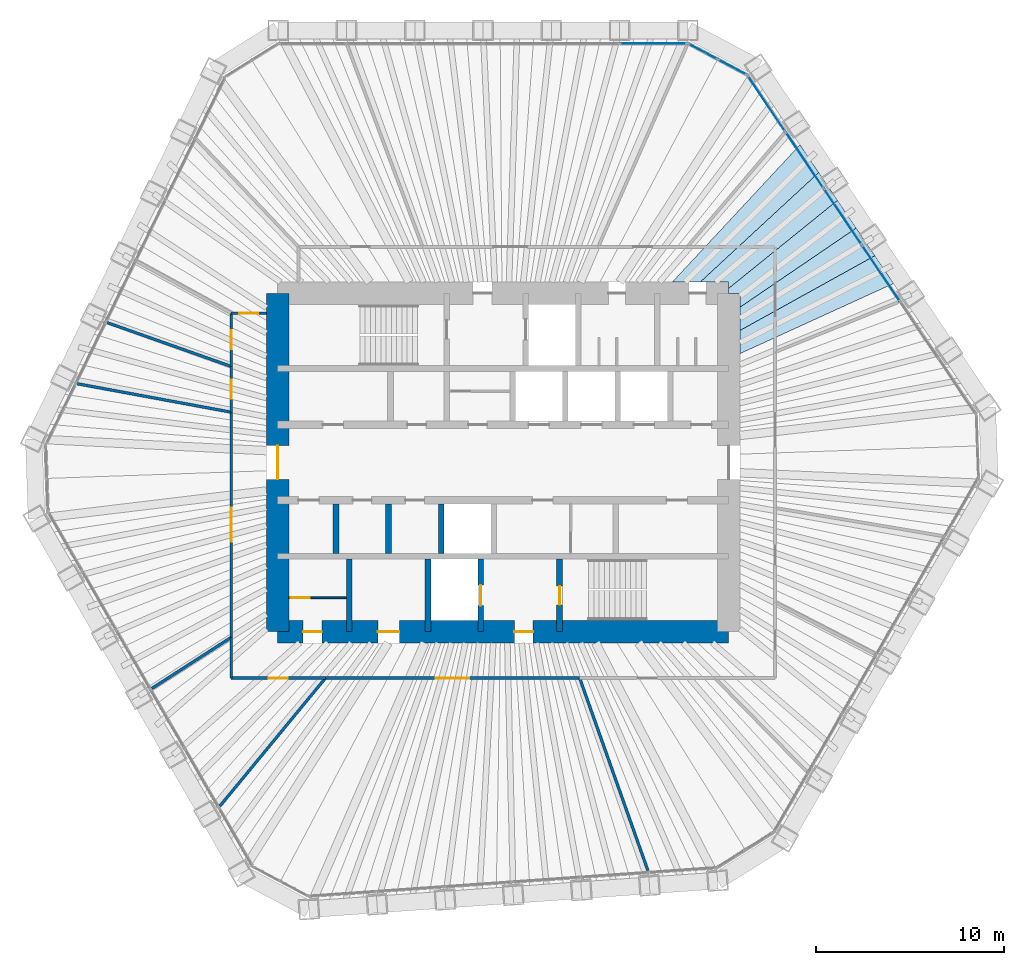
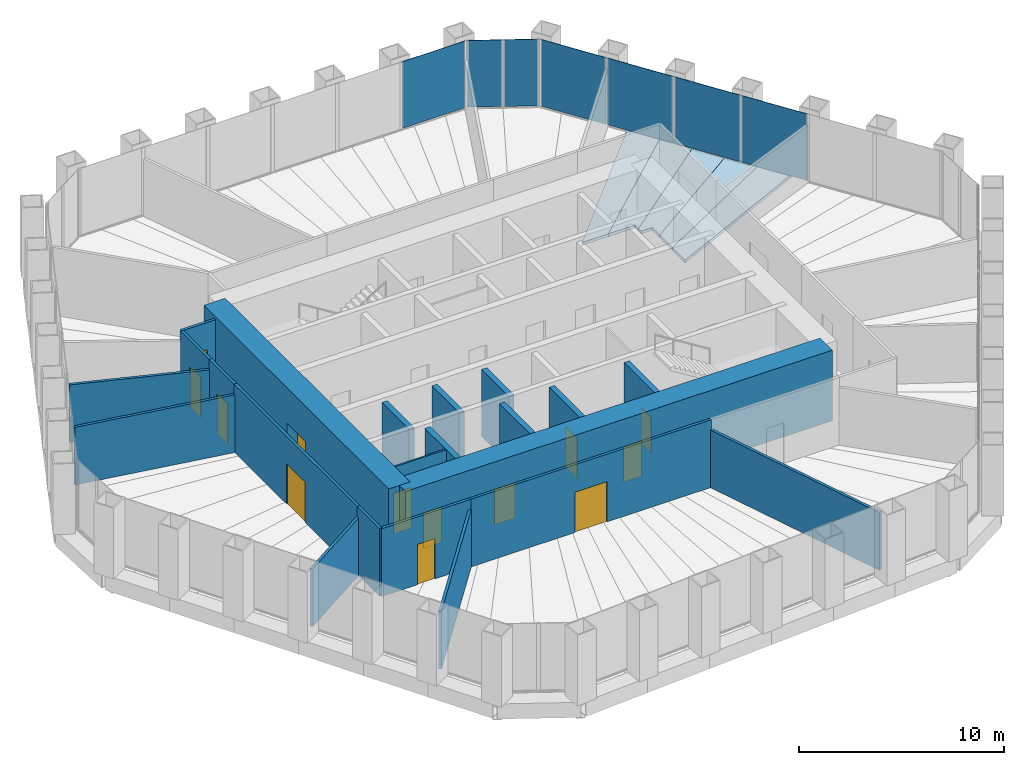
# One storey, part 10 of 13: 22 walls, 13 doors, 7 plates, 5 slabs, 13 openings, 3 elements without a shape of their own.
"""IFC4 building model written with IfcOpenShell, lengths in metres."""

import ifcopenshell
import ifcopenshell.guid

model = None  # the IFC model being written
_history = None  # IfcOwnerHistory: only IFC2X3 demands one
_inside = {}  # id of a spatial element -> (the spatial element, [elements in it])
_under = {}  # id of a project, library or spatial element -> (it, [spatial elements below it])
_declared = {}  # id of a project -> (the project, [libraries it declares])
_typed = {}  # id of a type object -> (the type object, [elements of that type])
_made_of = {}  # id of a material, layer set ... -> (it, [elements and type objects made of it])


def new_model(schema):
    """Start an empty IFC model of exactly this schema.

    Asked for "IFC4X3", IfcOpenShell would pick the latest addendum, in which some entities
    have other attributes; the version numbers below select the first issue.
    IFC2X3 requires an IfcOwnerHistory on every rooted entity: one is made here for all.
    """
    global model, _history
    if schema == "IFC4X3":
        model = ifcopenshell.file(schema_version=(4, 3, 0, 0))
    else:
        model = ifcopenshell.file(schema=schema)
    _inside.clear()
    _under.clear()
    _declared.clear()
    _typed.clear()
    _made_of.clear()
    _history = None
    if model.schema == "IFC2X3":
        org = make("IfcOrganization", Name="unknown")
        user = make(
            "IfcPersonAndOrganization",
            ThePerson=make("IfcPerson", FamilyName="unknown"),
            TheOrganization=org,
        )
        app = make(
            "IfcApplication",
            ApplicationDeveloper=org,
            Version="unknown",
            ApplicationFullName="unknown",
            ApplicationIdentifier="unknown",
        )
        _history = make(
            "IfcOwnerHistory",
            OwningUser=user,
            OwningApplication=app,
            ChangeAction="ADDED",
            CreationDate=0,
        )
    return model


def make(cls, **values):
    """One entity of the class cls with the attributes given. An attribute that is None is left unset."""
    return model.create_entity(
        cls, **{name: value for name, value in values.items() if value is not None}
    )


def rooted(cls, **values):
    """An entity with a GlobalId (a new one), such as an element, a storey or a relation."""
    return make(cls, GlobalId=ifcopenshell.guid.new(), OwnerHistory=_history, **values)


def si_unit(unit_type, name, prefix=None):
    """IfcSIUnit, for example si_unit("LENGTHUNIT", "METRE", prefix="MILLI")."""
    return make("IfcSIUnit", UnitType=unit_type, Prefix=prefix, Name=name)


def assignment(units):
    """IfcUnitAssignment: the units of a project."""
    return None if units is None else make("IfcUnitAssignment", Units=units)


def point(xyz):
    """IfcCartesianPoint."""
    return None if xyz is None else make("IfcCartesianPoint", Coordinates=xyz)


def direction(xyz):
    """IfcDirection."""
    return None if xyz is None else make("IfcDirection", DirectionRatios=xyz)


def frame(location, z_axis=None, x_axis=None):
    """IfcAxis2Placement3D, a coordinate frame: its origin and axes. An axis left out is left unset."""
    return make(
        "IfcAxis2Placement3D",
        Location=point(location),
        Axis=direction(z_axis),
        RefDirection=direction(x_axis),
    )


def frame_2d(location, x_axis=None):
    """IfcAxis2Placement2D, a coordinate frame in the plane: its origin and x axis."""
    return make(
        "IfcAxis2Placement2D", Location=point(location), RefDirection=direction(x_axis)
    )


def origin():
    """The frame at (0, 0, 0) with its axes left unset."""
    return frame((0.0, 0.0, 0.0))


def origin_2d():
    """The frame at (0, 0) in the plane with its x axis left unset."""
    return frame_2d((0.0, 0.0))


def place(relative_to, where):
    """IfcLocalPlacement: puts the frame where relative to a parent placement (None: the world)."""
    return make(
        "IfcLocalPlacement", PlacementRelTo=relative_to, RelativePlacement=where
    )


def context(
    kind, dimensions, precision=None, world=None, true_north=None, identifier=None
):
    """IfcGeometricRepresentationContext, for example the 3D "Model" context."""
    return make(
        "IfcGeometricRepresentationContext",
        ContextIdentifier=identifier,
        ContextType=kind,
        CoordinateSpaceDimension=dimensions,
        Precision=precision,
        WorldCoordinateSystem=world,
        TrueNorth=true_north,
    )


def subcontext(parent, identifier, kind, view, scale=None):
    """IfcGeometricRepresentationSubContext, for example "Body" below "Model"."""
    return make(
        "IfcGeometricRepresentationSubContext",
        ContextIdentifier=identifier,
        ContextType=kind,
        ParentContext=parent,
        TargetScale=scale,
        TargetView=view,
    )


def project(units=None, contexts=None):
    """IfcProject with its units and contexts."""
    return rooted(
        "IfcProject",
        Name="project",
        RepresentationContexts=contexts,
        UnitsInContext=assignment(units),
    )


def spatial(cls, under=None, at=None, **own):
    """A site, building, storey or space (cls), placed at a placement, below another one or the project."""
    s = rooted(cls, ObjectPlacement=at, **own)
    if under is not None:
        _under.setdefault(under.id(), (under, []))[1].append(s)
    return s


def polyline(points):
    """IfcPolyline through the points."""
    return make("IfcPolyline", Points=[point(p) for p in points])


def profile(cls, at=None, kind="AREA", **sizes):
    """A parametric profile (cls). Its sizes go by their IFC names, for example OverallWidth=200.0."""
    return make(cls, ProfileType=kind, Position=at, **sizes)


def rectangle(**sizes):
    """IfcRectangleProfileDef."""
    return profile("IfcRectangleProfileDef", **sizes)


def outline(outer, holes=None, kind="AREA"):
    """IfcArbitraryClosedProfileDef: a profile drawn as a closed curve; with holes, ...WithVoids."""
    if holes is None:
        return make("IfcArbitraryClosedProfileDef", ProfileType=kind, OuterCurve=outer)
    return make(
        "IfcArbitraryProfileDefWithVoids",
        ProfileType=kind,
        OuterCurve=outer,
        InnerCurves=holes,
    )


def extrude(swept, where, along, depth):
    """IfcExtrudedAreaSolid: the profile swept, set in the frame where, extruded along a direction by depth."""
    return make(
        "IfcExtrudedAreaSolid",
        SweptArea=swept,
        Position=where,
        ExtrudedDirection=direction(along),
        Depth=depth,
    )


def shape(context_of_items, identifier, shape_type, items):
    """IfcShapeRepresentation: the items that make up one representation, for example the "Body"."""
    return make(
        "IfcShapeRepresentation",
        ContextOfItems=context_of_items,
        RepresentationIdentifier=identifier,
        RepresentationType=shape_type,
        Items=items,
    )


def material(Name=None, Category=None):
    """IfcMaterial."""
    return make("IfcMaterial", Name=Name, Category=Category)


def layer(
    of_material, thickness, ventilated=None, Name=None, Category=None, Priority=None
):
    """IfcMaterialLayer: one layer of a wall or slab, of a material (None: an air gap)."""
    return make(
        "IfcMaterialLayer",
        Material=of_material,
        LayerThickness=thickness,
        IsVentilated=ventilated,
        Name=Name,
        Category=Category,
        Priority=Priority,
    )


def layer_set(layers, Name=None):
    """IfcMaterialLayerSet."""
    return make("IfcMaterialLayerSet", MaterialLayers=layers, LayerSetName=Name)


def made_of(thing, what):
    """Note that an element or type object is made of a material, layer set ...; save() writes the relation."""
    if what is not None:
        _made_of.setdefault(what.id(), (what, []))[1].append(thing)
    return thing


def type_object(cls, material=None, **own):
    """A type object (cls), such as IfcWallType, which elements share."""
    return made_of(rooted(cls, **own), material)


def element(
    cls,
    number,
    at=None,
    inside=None,
    cuts=None,
    type_object=None,
    material=None,
    context=None,
    identifier="Body",
    shape_type=None,
    held_by="IfcProductDefinitionShape",
    body=None,
    shapes=None,
    **own,
):
    """One element of the class cls, such as IfcWall. Its Tag is "e" and its number.

    at: its placement. inside: the storey or other place that contains it. cuts: it is an
    opening in that element (IfcRelVoidsElement). A single representation is given by context,
    identifier, shape_type and body (its items); several are given by shapes. held_by: the class
    of the entity that holds the representations. save() writes the other relations.
    """
    e = rooted(cls, Tag="e%d" % number, ObjectPlacement=at, **own)
    if body is not None:
        shapes = [shape(context, identifier, shape_type, body)]
    if shapes is not None:
        e.Representation = make(held_by, Representations=shapes)
    if inside is not None:
        _inside.setdefault(inside.id(), (inside, []))[1].append(e)
    if cuts is not None:
        rooted(
            "IfcRelVoidsElement", RelatingBuildingElement=cuts, RelatedOpeningElement=e
        )
    if type_object is not None:
        _typed.setdefault(type_object.id(), (type_object, []))[1].append(e)
    return made_of(e, material)


def fill(opening, filler):
    """IfcRelFillsElement: the door or window that sits in an opening."""
    return rooted(
        "IfcRelFillsElement",
        RelatingOpeningElement=opening,
        RelatedBuildingElement=filler,
    )


def aggregate(whole, parts):
    """IfcRelAggregates: a whole, such as a stair, and the parts it consists of."""
    return rooted("IfcRelAggregates", RelatingObject=whole, RelatedObjects=parts)


def save(model, path):
    """Write the relations noted so far, then the file.

    IfcRelAggregates (storeys below a building ...), IfcRelContainedInSpatialStructure (elements
    in a storey), IfcRelDefinesByType, IfcRelAssociatesMaterial and IfcRelDeclares: one each for
    every whole, place, type object, material and project.
    """
    for whole, parts in _under.values():
        aggregate(whole, parts)
    for where, things in _inside.values():
        rooted(
            "IfcRelContainedInSpatialStructure",
            RelatedElements=things,
            RelatingStructure=where,
        )
    for kind, things in _typed.values():
        rooted("IfcRelDefinesByType", RelatedObjects=things, RelatingType=kind)
    for what, things in _made_of.values():
        rooted("IfcRelAssociatesMaterial", RelatedObjects=things, RelatingMaterial=what)
    for by, libraries in _declared.values():
        rooted("IfcRelDeclares", RelatingContext=by, RelatedDefinitions=libraries)
    model.write(path)


model = new_model("IFC4")

# Units and contexts
model_context = context("Model", 3, precision=1e-05, world=origin(), true_north=direction((0.0, 1.0)))
body_context = subcontext(model_context, "Body", "Model", "MODEL_VIEW")
ifc_project = project(units=[si_unit("LENGTHUNIT", "METRE"), si_unit("AREAUNIT", "SQUARE_METRE"), si_unit("VOLUMEUNIT", "CUBIC_METRE"), si_unit("PLANEANGLEUNIT", "RADIAN"), si_unit("MASSUNIT", "GRAM", prefix="KILO")], contexts=[model_context])

# Site, building, storey
site_placement = place(None, origin())
site = spatial("IfcSite", under=ifc_project, at=site_placement, CompositionType="ELEMENT")
building_placement = place(site_placement, origin())
building = spatial("IfcBuilding", under=site, at=building_placement, Name="Qingtian Harvest Tower", CompositionType="ELEMENT")
storey_placement = place(building_placement, frame((0.0, 0.0, 193.0)))
storey = spatial("IfcBuildingStorey", under=building, at=storey_placement, Name="L41", CompositionType="ELEMENT", Elevation=193.0)

# Slabs
ifc_material_1 = material(Name="Concrete fc' 35 MPa", Category="concrete")
ifc_layer_1 = layer(ifc_material_1, 0.169921875)
ifc_layer_set_1 = layer_set([ifc_layer_1], Name="Composite floor slab FS17 170")
slab_type = type_object("IfcSlabType", Name="Composite floor slab FS17 170", PredefinedType="FLOOR", material=ifc_layer_set_1)
slab_1_placement = place(storey_placement, frame((0.0, 0.0, -0.169921875)))
element("IfcSlab", 1, at=slab_1_placement, inside=storey, type_object=slab_type, Name="Floor slab L41 panel D45", PredefinedType="FLOOR", context=body_context, shape_type="SweptSolid", body=[
    extrude(outline(polyline([(12.60009765625, 7.023681640625), (19.7841796875, 11.003662109375), (20.780517578125, 9.526611328125), (12.60009765625, 5.7900390625), (12.60009765625, 7.023681640625)])), origin(), (0.0, 0.0, 1.0), 0.169921875),
])
slab_2_placement = place(storey_placement, frame((0.0, 0.0, -0.169921875)))
element("IfcSlab", 2, at=slab_2_placement, inside=storey, type_object=slab_type, Name="Floor slab L41 panel D46", PredefinedType="FLOOR", context=body_context, shape_type="SweptSolid", body=[
    extrude(outline(polyline([(12.60009765625, 8.260498046875), (18.791259765625, 12.475830078125), (19.7841796875, 11.003662109375), (12.60009765625, 7.023681640625), (12.60009765625, 8.260498046875)])), origin(), (0.0, 0.0, 1.0), 0.169921875),
])
slab_3_placement = place(storey_placement, frame((0.0, 0.0, -0.169921875)))
element("IfcSlab", 3, at=slab_3_placement, inside=storey, type_object=slab_type, Name="Floor slab L41 panel D47", PredefinedType="FLOOR", context=body_context, shape_type="SweptSolid", body=[
    extrude(outline(polyline([(12.60009765625, 9.0), (12.0, 9.0), (12.0, 9.2666015625), (17.795654296875, 13.95166015625), (18.791259765625, 12.475830078125), (12.60009765625, 8.260498046875), (12.60009765625, 9.0)])), origin(), (0.0, 0.0, 1.0), 0.169921875),
])
slab_4_placement = place(storey_placement, frame((0.0, 0.0, -0.169921875)))
element("IfcSlab", 4, at=slab_4_placement, inside=storey, type_object=slab_type, Name="Floor slab L41 panel D48", PredefinedType="FLOOR", context=body_context, shape_type="SweptSolid", body=[
    extrude(outline(polyline([(12.0, 9.60009765625), (10.48583984375, 9.60009765625), (16.79638671875, 15.43310546875), (17.795654296875, 13.95166015625), (12.0, 9.2666015625), (12.0, 9.60009765625)])), origin(), (0.0, 0.0, 1.0), 0.169921875),
])
slab_5_placement = place(storey_placement, frame((0.0, 0.0, -0.169921875)))
element("IfcSlab", 5, at=slab_5_placement, inside=storey, type_object=slab_type, Name="Floor slab L41 panel D49", PredefinedType="FLOOR", context=body_context, shape_type="SweptSolid", body=[
    extrude(outline(polyline([(8.998291015625, 9.60009765625), (15.800048828125, 16.910400390625), (16.79638671875, 15.43310546875), (10.48583984375, 9.60009765625), (8.998291015625, 9.60009765625)])), origin(), (0.0, 0.0, 1.0), 0.169921875),
])

# Curtain wall, plate
ifc_material_2 = material(Name="Bronze-anodised aluminium curtain wall", Category="aluminium")
curtain_wall_type = type_object("IfcCurtainWallType", Name="Curtain wall CW4 office", PredefinedType="USERDEFINED", material=ifc_material_2)
curtain_wall_1_placement = place(storey_placement, origin())
curtain_wall_1 = element("IfcCurtainWall", 6, at=curtain_wall_1_placement, inside=storey, type_object=curtain_wall_type, Name="Curtain wall CW4 L41 N0-5", ObjectType="RECESSED CURTAIN WALL", PredefinedType="USERDEFINED")
ifc_material_3 = material(Name="Bronze-tinted laminated insulating glass", Category="glass")
ifc_layer_2 = layer(ifc_material_3, 0.030029296875)
ifc_layer_set_2 = layer_set([ifc_layer_2], Name="Glazed panel CWP tinted IGU")
plate_type = type_object("IfcPlateType", Name="Glazed panel CWP tinted IGU", PredefinedType="CURTAIN_PANEL", material=ifc_layer_set_2)
plate_1_placement = place(storey_placement, frame((7.996337890625, 22.300048828125, 0.06494140625), z_axis=(0.0, 0.0, 1.0), x_axis=(1.0, 0.0, 0.0)))
plate_1 = element("IfcPlate", 7, at=plate_1_placement, type_object=plate_type, Name="CW4 panel 6.1", PredefinedType="CURTAIN_PANEL", context=body_context, shape_type="SweptSolid", body=[
    extrude(rectangle(XDim=3.5361328125, YDim=0.030029296875, at=origin_2d()), origin(), (0.0, 0.0, 1.0), 3.965087890625),
])
aggregate(curtain_wall_1, [plate_1])

# Curtain wall, plates
curtain_wall_2_placement = place(storey_placement, origin())
curtain_wall_2 = element("IfcCurtainWall", 8, at=curtain_wall_2_placement, inside=storey, type_object=curtain_wall_type, Name="Curtain wall CW4 L41 NC", ObjectType="RECESSED CURTAIN WALL", PredefinedType="USERDEFINED")
plate_2_placement = place(storey_placement, frame((10.634033203125, 21.8720703125, 0.06494140625), z_axis=(0.0, 0.0, 1.0), x_axis=(0.882947592859, -0.469471562786, 0.0)))
plate_2 = element("IfcPlate", 9, at=plate_2_placement, type_object=plate_type, Name="CW4 panel 1.1", PredefinedType="CURTAIN_PANEL", context=body_context, shape_type="SweptSolid", body=[
    extrude(rectangle(XDim=1.69287109375, YDim=0.030029296875, at=origin_2d()), origin(), (0.0, 0.0, 1.0), 3.965087890625),
])
plate_3_placement = place(storey_placement, frame((12.186279296875, 21.046875, 0.06494140625), z_axis=(0.0, 0.0, 1.0), x_axis=(0.882947592859, -0.469471562786, 0.0)))
plate_3 = element("IfcPlate", 10, at=plate_3_placement, type_object=plate_type, Name="CW4 panel 2.1", PredefinedType="CURTAIN_PANEL", context=body_context, shape_type="SweptSolid", body=[
    extrude(rectangle(XDim=1.69287109375, YDim=0.030029296875, at=origin_2d()), origin(), (0.0, 0.0, 1.0), 3.965087890625),
])
aggregate(curtain_wall_2, [plate_2, plate_3])

curtain_wall_3_placement = place(storey_placement, origin())
curtain_wall_3 = element("IfcCurtainWall", 11, at=curtain_wall_3_placement, inside=storey, type_object=curtain_wall_type, Name="Curtain wall CW4 L41 NE0-5", ObjectType="RECESSED CURTAIN WALL", PredefinedType="USERDEFINED")
plate_4_placement = place(storey_placement, frame((14.01611328125, 19.09912109375, 0.06494140625), z_axis=(0.0, 0.0, 1.0), x_axis=(0.559192903471, -0.829037572555, 0.0)))
plate_4 = element("IfcPlate", 12, at=plate_4_placement, type_object=plate_type, Name="CW4 panel 1.1", PredefinedType="CURTAIN_PANEL", context=body_context, shape_type="SweptSolid", body=[
    extrude(rectangle(XDim=3.5361328125, YDim=0.030029296875, at=origin_2d()), origin(), (0.0, 0.0, 1.0), 3.965087890625),
])
plate_5_placement = place(storey_placement, frame((16.038818359375, 16.100341796875, 0.06494140625), z_axis=(0.0, 0.0, 1.0), x_axis=(0.559192903471, -0.829037572555, 0.0)))
plate_5 = element("IfcPlate", 13, at=plate_5_placement, type_object=plate_type, Name="CW4 panel 2.1", PredefinedType="CURTAIN_PANEL", context=body_context, shape_type="SweptSolid", body=[
    extrude(rectangle(XDim=3.568603515625, YDim=0.030029296875, at=origin_2d()), origin(), (0.0, 0.0, 1.0), 3.965087890625),
])
plate_6_placement = place(storey_placement, frame((18.07080078125, 13.087890625, 0.06494140625), z_axis=(0.0, 0.0, 1.0), x_axis=(0.559192903471, -0.829037572555, 0.0)))
plate_6 = element("IfcPlate", 14, at=plate_6_placement, type_object=plate_type, Name="CW4 panel 3.1", PredefinedType="CURTAIN_PANEL", context=body_context, shape_type="SweptSolid", body=[
    extrude(rectangle(XDim=3.568603515625, YDim=0.030029296875, at=origin_2d()), origin(), (0.0, 0.0, 1.0), 3.965087890625),
])
plate_7_placement = place(storey_placement, frame((20.1025390625, 10.07568359375, 0.06494140625), z_axis=(0.0, 0.0, 1.0), x_axis=(0.559192903471, -0.829037572555, 0.0)))
plate_7 = element("IfcPlate", 15, at=plate_7_placement, type_object=plate_type, Name="CW4 panel 4.1", PredefinedType="CURTAIN_PANEL", context=body_context, shape_type="SweptSolid", body=[
    extrude(rectangle(XDim=3.568603515625, YDim=0.030029296875, at=origin_2d()), origin(), (0.0, 0.0, 1.0), 3.965087890625),
])
aggregate(curtain_wall_3, [plate_4, plate_5, plate_6, plate_7])

# Walls
ifc_material_4 = material(Name="Precast concrete shaft panel", Category="concrete")
ifc_layer_3 = layer(ifc_material_4, 0.300048828125)
ifc_layer_set_3 = layer_set([ifc_layer_3], Name="Core shaft partition SW1 300")
wall_type_1 = type_object("IfcWallType", Name="Core shaft partition SW1 300", PredefinedType="PARTITIONING", material=ifc_layer_set_3)
for number, where, z_axis, x_axis, name in (
    (16, (-8.89990234375, -4.85009765625, 0.0), (0.0, 0.0, 1.0), (0.0, 1.0, 0.0), "Core shaft partition XB1 L41"),
    (17, (-6.10009765625, -4.85009765625, 0.0), (0.0, 0.0, 1.0), (0.0, 1.0, 0.0), "Core shaft partition XB2 L41"),
    (18, (-3.300048828125, -4.85009765625, 0.0), (0.0, 0.0, 1.0), (0.0, 1.0, 0.0), "Core shaft partition XB3 L41"),
):
    element("IfcWall", number, at=place(storey_placement, frame(where, z_axis=z_axis, x_axis=x_axis)), inside=storey, type_object=wall_type_1, Name=name, PredefinedType="PARTITIONING", context=body_context, shape_type="SweptSolid", body=[
        extrude(rectangle(XDim=2.650146484375, YDim=0.300048828125, at=frame_2d((1.3251953125, 0.0))), origin(), (0.0, 0.0, 1.0), 3.97998046875),
    ])
for number, where, z_axis, x_axis, name in (
    (19, (-8.199951171875, -9.0, 0.0), (0.0, 0.0, 1.0), (0.0, 1.0, 0.0), "Core shaft partition XS1 L41"),
    (20, (-4.0, -9.0, 0.0), (0.0, 0.0, 1.0), (0.0, 1.0, 0.0), "Core shaft partition XS2 L41"),
):
    element("IfcWall", number, at=place(storey_placement, frame(where, z_axis=z_axis, x_axis=x_axis)), inside=storey, type_object=wall_type_1, Name=name, PredefinedType="PARTITIONING", context=body_context, shape_type="SweptSolid", body=[
        extrude(rectangle(XDim=3.85009765625, YDim=0.300048828125, at=frame_2d((1.925048828125, 0.0))), origin(), (0.0, 0.0, 1.0), 3.97998046875),
    ])

# Wall, opening, door
wall_1_placement = place(storey_placement, frame((-1.199951171875, -9.0, 0.0), z_axis=(0.0, 0.0, 1.0), x_axis=(0.0, 1.0, 0.0)))
wall_1 = element("IfcWall", 21, at=wall_1_placement, inside=storey, type_object=wall_type_1, Name="Core shaft partition XS3 L41", PredefinedType="PARTITIONING", context=body_context, shape_type="SweptSolid", body=[
    extrude(rectangle(XDim=3.85009765625, YDim=0.300048828125, at=frame_2d((1.925048828125, 0.0))), origin(), (0.0, 0.0, 1.0), 3.97998046875),
])
opening_1_placement = place(wall_1_placement, frame((1.375, 0.0, 0.0)))
opening_1 = element("IfcOpeningElement", 22, at=opening_1_placement, cuts=wall_1, Name="Opening LD1", PredefinedType="OPENING", context=body_context, shape_type="SweptSolid", body=[
    extrude(rectangle(XDim=1.10009765625, YDim=2.39990234375, at=frame_2d((0.550048828125, 1.199951171875))), frame((0.0, 0.159912109375, 0.0), z_axis=(0.0, -1.0, 0.0), x_axis=(1.0, 0.0, 0.0)), (0.0, 0.0, 1.0), 0.320068359375),
])
ifc_material_5 = material(Name="Stainless steel lift landing door", Category="steel")
door_type_1 = type_object("IfcDoorType", Name="Lift landing door LD1 1 HR", OperationType="DOUBLE_DOOR_SLIDING", PredefinedType="DOOR", material=ifc_material_5)
door_1_placement = place(opening_1_placement, origin())
door_1 = element("IfcDoor", 23, at=door_1_placement, inside=storey, type_object=door_type_1, Name="FL2 landing door L41", OperationType="DOUBLE_DOOR_SLIDING", OverallHeight=2.39990234375, OverallWidth=1.10009765625, PredefinedType="DOOR", context=body_context, shape_type="SweptSolid", body=[
    extrude(rectangle(XDim=1.10009765625, YDim=2.39990234375, at=frame_2d((0.550048828125, 1.199951171875))), frame((0.0, 0.02490234375, 0.0), z_axis=(0.0, -1.0, 0.0), x_axis=(1.0, 0.0, 0.0)), (0.0, 0.0, 1.0), 0.050048828125),
])
fill(opening_1, door_1)

wall_2_placement = place(storey_placement, frame((3.0, -9.0, 0.0), z_axis=(0.0, 0.0, 1.0), x_axis=(0.0, 1.0, 0.0)))
wall_2 = element("IfcWall", 24, at=wall_2_placement, inside=storey, type_object=wall_type_1, Name="Core shaft partition XS4 L41", PredefinedType="PARTITIONING", context=body_context, shape_type="SweptSolid", body=[
    extrude(rectangle(XDim=3.85009765625, YDim=0.300048828125, at=frame_2d((1.925048828125, 0.0))), origin(), (0.0, 0.0, 1.0), 3.97998046875),
])
opening_2_placement = place(wall_2_placement, frame((1.425048828125, 0.0, 0.0)))
opening_2 = element("IfcOpeningElement", 25, at=opening_2_placement, cuts=wall_2, Name="Opening FD1", PredefinedType="OPENING", context=body_context, shape_type="SweptSolid", body=[
    extrude(rectangle(XDim=1.0, YDim=2.10009765625, at=frame_2d((0.5, 1.050048828125))), frame((0.0, 0.159912109375, 0.0), z_axis=(0.0, -1.0, 0.0), x_axis=(1.0, 0.0, 0.0)), (0.0, 0.0, 1.0), 0.320068359375),
])
ifc_material_6 = material(Name="Steel-faced door leaf", Category="steel")
door_type_2 = type_object("IfcDoorType", Name="Fire door FD1 single 1 HR", OperationType="SINGLE_SWING_LEFT", PredefinedType="DOOR", material=ifc_material_6)
door_2_placement = place(opening_2_placement, origin())
door_2 = element("IfcDoor", 26, at=door_2_placement, inside=storey, type_object=door_type_2, Name="S2 door L41", OperationType="SINGLE_SWING_LEFT", OverallHeight=2.10009765625, OverallWidth=1.0, PredefinedType="DOOR", context=body_context, shape_type="SweptSolid", body=[
    extrude(rectangle(XDim=1.0, YDim=2.10009765625, at=frame_2d((0.5, 1.050048828125))), frame((0.0, 0.02490234375, 0.0), z_axis=(0.0, -1.0, 0.0), x_axis=(1.0, 0.0, 0.0)), (0.0, 0.0, 1.0), 0.050048828125),
])
fill(opening_2, door_2)

# Wall, openings, doors
ifc_material_7 = material(Name="Concrete fc' 70 MPa", Category="concrete")
ifc_layer_4 = layer(ifc_material_7, 1.199951171875)
ifc_layer_set_4 = layer_set([ifc_layer_4], Name="Core wall RC2 1200")
wall_type_2 = type_object("IfcWallType", Name="Core wall RC2 1200", PredefinedType="SHEAR", material=ifc_layer_set_4)
wall_3_placement = place(storey_placement, frame((-12.0, -9.0, 0.0), z_axis=(0.0, 0.0, 1.0), x_axis=(1.0, 0.0, 0.0)))
wall_3 = element("IfcWall", 27, at=wall_3_placement, inside=storey, type_object=wall_type_2, Name="Core wall CS L41", PredefinedType="SHEAR", context=body_context, shape_type="SweptSolid", body=[
    extrude(rectangle(XDim=24.0, YDim=1.199951171875, at=frame_2d((12.0, 0.0))), origin(), (0.0, 0.0, 1.0), 4.199951171875),
])
opening_3_placement = place(wall_3_placement, frame((1.35009765625, 0.0, 0.0)))
opening_3 = element("IfcOpeningElement", 28, at=opening_3_placement, cuts=wall_3, Name="Opening FD1", PredefinedType="OPENING", context=body_context, shape_type="SweptSolid", body=[
    extrude(rectangle(XDim=1.0, YDim=2.10009765625, at=frame_2d((0.5, 1.050048828125))), frame((0.0, 0.60986328125, 0.0), z_axis=(0.0, -1.0, 0.0), x_axis=(1.0, 0.0, 0.0)), (0.0, 0.0, 1.0), 1.219970703125),
])
opening_4_placement = place(wall_3_placement, frame((5.324951171875, 0.0, 0.0)))
opening_4 = element("IfcOpeningElement", 29, at=opening_4_placement, cuts=wall_3, Name="Opening AD1", PredefinedType="OPENING", context=body_context, shape_type="SweptSolid", body=[
    extrude(rectangle(XDim=1.14990234375, YDim=2.10009765625, at=frame_2d((0.574951171875, 1.050048828125))), frame((0.0, 0.60986328125, 0.0), z_axis=(0.0, -1.0, 0.0), x_axis=(1.0, 0.0, 0.0)), (0.0, 0.0, 1.0), 1.219970703125),
])
opening_5_placement = place(wall_3_placement, frame((12.60009765625, 0.0, 0.0)))
opening_5 = element("IfcOpeningElement", 30, at=opening_5_placement, cuts=wall_3, Name="Opening FD1", PredefinedType="OPENING", context=body_context, shape_type="SweptSolid", body=[
    extrude(rectangle(XDim=1.0, YDim=2.10009765625, at=frame_2d((0.5, 1.050048828125))), frame((0.0, 0.60986328125, 0.0), z_axis=(0.0, -1.0, 0.0), x_axis=(1.0, 0.0, 0.0)), (0.0, 0.0, 1.0), 1.219970703125),
])
ifc_material_8 = material(Name="Laminated timber door leaf", Category="wood")
door_type_3 = type_object("IfcDoorType", Name="Accessible WC door AD1 single", OperationType="SINGLE_SWING_LEFT", PredefinedType="DOOR", material=ifc_material_8)
door_3_placement = place(opening_4_placement, origin())
door_3 = element("IfcDoor", 31, at=door_3_placement, inside=storey, type_object=door_type_3, Name="AWC door L41", OperationType="SINGLE_SWING_LEFT", OverallHeight=2.10009765625, OverallWidth=1.14990234375, PredefinedType="DOOR", context=body_context, shape_type="SweptSolid", body=[
    extrude(rectangle(XDim=1.14990234375, YDim=2.10009765625, at=frame_2d((0.574951171875, 1.050048828125))), frame((0.0, 0.02490234375, 0.0), z_axis=(0.0, -1.0, 0.0), x_axis=(1.0, 0.0, 0.0)), (0.0, 0.0, 1.0), 0.050048828125),
])
fill(opening_4, door_3)
door_4_placement = place(opening_3_placement, origin())
door_4 = element("IfcDoor", 32, at=door_4_placement, inside=storey, type_object=door_type_2, Name="CLN door L41", OperationType="SINGLE_SWING_LEFT", OverallHeight=2.10009765625, OverallWidth=1.0, PredefinedType="DOOR", context=body_context, shape_type="SweptSolid", body=[
    extrude(rectangle(XDim=1.0, YDim=2.10009765625, at=frame_2d((0.5, 1.050048828125))), frame((0.0, 0.02490234375, 0.0), z_axis=(0.0, -1.0, 0.0), x_axis=(1.0, 0.0, 0.0)), (0.0, 0.0, 1.0), 0.050048828125),
])
fill(opening_3, door_4)
door_5_placement = place(opening_5_placement, origin())
door_5 = element("IfcDoor", 33, at=door_5_placement, inside=storey, type_object=door_type_2, Name="V2 door L41", OperationType="SINGLE_SWING_LEFT", OverallHeight=2.10009765625, OverallWidth=1.0, PredefinedType="DOOR", context=body_context, shape_type="SweptSolid", body=[
    extrude(rectangle(XDim=1.0, YDim=2.10009765625, at=frame_2d((0.5, 1.050048828125))), frame((0.0, 0.02490234375, 0.0), z_axis=(0.0, -1.0, 0.0), x_axis=(1.0, 0.0, 0.0)), (0.0, 0.0, 1.0), 0.050048828125),
])
fill(opening_5, door_5)

# Wall, opening, door
wall_4_placement = place(storey_placement, frame((-12.0, -9.0, 0.0), z_axis=(0.0, 0.0, 1.0), x_axis=(0.0, 1.0, 0.0)))
wall_4 = element("IfcWall", 34, at=wall_4_placement, inside=storey, type_object=wall_type_2, Name="Core wall CW L41", PredefinedType="SHEAR", context=body_context, shape_type="SweptSolid", body=[
    extrude(rectangle(XDim=18.0, YDim=1.199951171875, at=frame_2d((9.0, 0.0))), origin(), (0.0, 0.0, 1.0), 4.199951171875),
])
opening_6_placement = place(wall_4_placement, frame((8.10009765625, 0.0, 0.0)))
opening_6 = element("IfcOpeningElement", 35, at=opening_6_placement, cuts=wall_4, Name="Opening FD2", PredefinedType="OPENING", context=body_context, shape_type="SweptSolid", body=[
    extrude(rectangle(XDim=1.800048828125, YDim=2.10009765625, at=frame_2d((0.89990234375, 1.050048828125))), frame((0.0, 0.60986328125, 0.0), z_axis=(0.0, -1.0, 0.0), x_axis=(1.0, 0.0, 0.0)), (0.0, 0.0, 1.0), 1.219970703125),
])
ifc_material_9 = material(Name="Steel-faced door leaf", Category="steel")
door_type_4 = type_object("IfcDoorType", Name="Fire door FD2 double 1 HR", OperationType="DOUBLE_DOOR_DOUBLE_SWING", PredefinedType="DOOR", material=ifc_material_9)
door_6_placement = place(opening_6_placement, origin())
door_6 = element("IfcDoor", 36, at=door_6_placement, inside=storey, type_object=door_type_4, Name="LOBBY-W door L41", OperationType="DOUBLE_DOOR_DOUBLE_SWING", OverallHeight=2.10009765625, OverallWidth=1.800048828125, PredefinedType="DOOR", context=body_context, shape_type="SweptSolid", body=[
    extrude(rectangle(XDim=1.800048828125, YDim=2.10009765625, at=frame_2d((0.89990234375, 1.050048828125))), frame((0.0, 0.02490234375, 0.0), z_axis=(0.0, -1.0, 0.0), x_axis=(1.0, 0.0, 0.0)), (0.0, 0.0, 1.0), 0.050048828125),
])
fill(opening_6, door_6)

# Wall
ifc_material_10 = material(Name="Gypsum board on steel studs", Category="steel")
ifc_layer_5 = layer(ifc_material_10, 0.14990234375)
ifc_layer_set_5 = layer_set([ifc_layer_5], Name="Partition PT1 150")
wall_type_3 = type_object("IfcWallType", Name="Partition PT1 150", PredefinedType="PARTITIONING", material=ifc_layer_set_5)
wall_5_placement = place(storey_placement, frame((-22.660888671875, 4.188720703125, 0.0), z_axis=(0.0, 0.0, 1.0), x_axis=(0.983345347199, -0.181746879316, 0.0)))
element("IfcWall", 37, at=wall_5_placement, inside=storey, type_object=wall_type_3, Name="Private office wall L41", PredefinedType="PARTITIONING", context=body_context, shape_type="SweptSolid", body=[
    extrude(rectangle(XDim=8.324462890625, YDim=0.14990234375, at=frame_2d((4.162109375, 0.0))), origin(), (0.0, 0.0, 1.0), 3.429931640625),
])

# Wall, opening, door
wall_6_placement = place(storey_placement, frame((-14.47509765625, 2.67578125, 0.0), z_axis=(0.0, 0.0, 1.0), x_axis=(0.0, 1.0, 0.0)))
wall_6 = element("IfcWall", 38, at=wall_6_placement, inside=storey, type_object=wall_type_3, Name="Private office wall L41", PredefinedType="PARTITIONING", context=body_context, shape_type="SweptSolid", body=[
    extrude(rectangle(XDim=2.4345703125, YDim=0.14990234375, at=frame_2d((1.21728515625, 0.0))), origin(), (0.0, 0.0, 1.0), 4.030029296875),
])
opening_7_placement = place(wall_6_placement, frame((0.71728515625, 0.0, 0.0)))
opening_7 = element("IfcOpeningElement", 39, at=opening_7_placement, cuts=wall_6, Name="Opening D2", PredefinedType="OPENING", context=body_context, shape_type="SweptSolid", body=[
    extrude(rectangle(XDim=1.0, YDim=2.39990234375, at=frame_2d((0.5, 1.199951171875))), frame((0.0, 0.0849609375, 0.0), z_axis=(0.0, -1.0, 0.0), x_axis=(1.0, 0.0, 0.0)), (0.0, 0.0, 1.0), 0.169921875),
])
ifc_material_11 = material(Name="Laminated timber door leaf", Category="wood")
door_type_5 = type_object("IfcDoorType", Name="Room door D2 single", OperationType="SINGLE_SWING_LEFT", PredefinedType="DOOR", material=ifc_material_11)
door_7_placement = place(opening_7_placement, origin())
door_7 = element("IfcDoor", 40, at=door_7_placement, inside=storey, type_object=door_type_5, Name="Private office door L41", OperationType="SINGLE_SWING_LEFT", OverallHeight=2.39990234375, OverallWidth=1.0, PredefinedType="DOOR", context=body_context, shape_type="SweptSolid", body=[
    extrude(rectangle(XDim=1.0, YDim=2.39990234375, at=frame_2d((0.5, 1.199951171875))), frame((0.0, 0.02490234375, 0.0), z_axis=(0.0, -1.0, 0.0), x_axis=(1.0, 0.0, 0.0)), (0.0, 0.0, 1.0), 0.050048828125),
])
fill(opening_7, door_7)

# Wall
wall_7_placement = place(storey_placement, frame((-21.072021484375, 7.439453125, 0.0), z_axis=(0.0, 0.0, 1.0), x_axis=(0.94295553867, -0.332918686907, 0.0)))
element("IfcWall", 41, at=wall_7_placement, inside=storey, type_object=wall_type_3, Name="Private office wall L41", PredefinedType="PARTITIONING", context=body_context, shape_type="SweptSolid", body=[
    extrude(rectangle(XDim=6.99609375, YDim=0.14990234375, at=frame_2d((3.498046875, 0.0))), origin(), (0.0, 0.0, 1.0), 3.429931640625),
])

# Wall, opening, door
wall_8_placement = place(storey_placement, frame((-14.47509765625, 5.1103515625, 0.0), z_axis=(0.0, 0.0, 1.0), x_axis=(0.0, 1.0, 0.0)))
wall_8 = element("IfcWall", 42, at=wall_8_placement, inside=storey, type_object=wall_type_3, Name="Private office wall L41", PredefinedType="PARTITIONING", context=body_context, shape_type="SweptSolid", body=[
    extrude(rectangle(XDim=2.8310546875, YDim=0.14990234375, at=frame_2d((1.41552734375, 0.0))), origin(), (0.0, 0.0, 1.0), 4.030029296875),
])
opening_8_placement = place(wall_8_placement, frame((0.91552734375, 0.0, 0.0)))
opening_8 = element("IfcOpeningElement", 43, at=opening_8_placement, cuts=wall_8, Name="Opening D2", PredefinedType="OPENING", context=body_context, shape_type="SweptSolid", body=[
    extrude(rectangle(XDim=1.0, YDim=2.39990234375, at=frame_2d((0.5, 1.199951171875))), frame((0.0, 0.0849609375, 0.0), z_axis=(0.0, -1.0, 0.0), x_axis=(1.0, 0.0, 0.0)), (0.0, 0.0, 1.0), 0.169921875),
])
door_8_placement = place(opening_8_placement, origin())
door_8 = element("IfcDoor", 44, at=door_8_placement, inside=storey, type_object=door_type_5, Name="Private office door L41", OperationType="SINGLE_SWING_RIGHT", OverallHeight=2.39990234375, OverallWidth=1.0, PredefinedType="DOOR", context=body_context, shape_type="SweptSolid", body=[
    extrude(rectangle(XDim=1.0, YDim=2.39990234375, at=frame_2d((0.5, 1.199951171875))), frame((0.0, 0.02490234375, 0.0), z_axis=(0.0, -1.0, 0.0), x_axis=(1.0, 0.0, 0.0)), (0.0, 0.0, 1.0), 0.050048828125),
])
fill(opening_8, door_8)

wall_9_placement = place(storey_placement, frame((-14.47509765625, 7.94140625, 0.0), z_axis=(0.0, 0.0, 1.0), x_axis=(1.0, 0.0, 0.0)))
wall_9 = element("IfcWall", 45, at=wall_9_placement, inside=storey, type_object=wall_type_3, Name="Huddle room wall L41", PredefinedType="PARTITIONING", context=body_context, shape_type="SweptSolid", body=[
    extrude(rectangle(XDim=1.875, YDim=0.14990234375, at=frame_2d((0.9375, 0.0))), origin(), (0.0, 0.0, 1.0), 4.030029296875),
])
opening_9_placement = place(wall_9_placement, frame((0.4375, 0.0, 0.0)))
opening_9 = element("IfcOpeningElement", 46, at=opening_9_placement, cuts=wall_9, Name="Opening D2", PredefinedType="OPENING", context=body_context, shape_type="SweptSolid", body=[
    extrude(rectangle(XDim=1.0, YDim=2.39990234375, at=frame_2d((0.5, 1.199951171875))), frame((0.0, 0.0849609375, 0.0), z_axis=(0.0, -1.0, 0.0), x_axis=(1.0, 0.0, 0.0)), (0.0, 0.0, 1.0), 0.169921875),
])
door_9_placement = place(opening_9_placement, origin())
door_9 = element("IfcDoor", 47, at=door_9_placement, inside=storey, type_object=door_type_5, Name="Huddle room door L41", OperationType="SINGLE_SWING_RIGHT", OverallHeight=2.39990234375, OverallWidth=1.0, PredefinedType="DOOR", context=body_context, shape_type="SweptSolid", body=[
    extrude(rectangle(XDim=1.0, YDim=2.39990234375, at=frame_2d((0.5, 1.199951171875))), frame((0.0, 0.02490234375, 0.0), z_axis=(0.0, -1.0, 0.0), x_axis=(1.0, 0.0, 0.0)), (0.0, 0.0, 1.0), 0.050048828125),
])
fill(opening_9, door_9)

# Wall
wall_10_placement = place(storey_placement, frame((7.702880859375, -21.71923828125, 0.0), z_axis=(0.0, 0.0, 1.0), x_axis=(-0.334269551553, 0.942477515331, 0.0)))
element("IfcWall", 48, at=wall_10_placement, inside=storey, type_object=wall_type_3, Name="Workplace zone wall L41", PredefinedType="PARTITIONING", context=body_context, shape_type="SweptSolid", body=[
    extrude(rectangle(XDim=10.869384765625, YDim=0.14990234375, at=frame_2d((5.4345703125, 0.0))), origin(), (0.0, 0.0, 1.0), 3.429931640625),
])

# Wall, opening, door
wall_11_placement = place(storey_placement, frame((4.069580078125, -11.47509765625, 0.0), z_axis=(0.0, 0.0, 1.0), x_axis=(-1.0, 0.0, 0.0)))
wall_11 = element("IfcWall", 49, at=wall_11_placement, inside=storey, type_object=wall_type_3, Name="Workplace zone wall L41", PredefinedType="PARTITIONING", context=body_context, shape_type="SweptSolid", body=[
    extrude(rectangle(XDim=13.5283203125, YDim=0.14990234375, at=frame_2d((6.76416015625, 0.0))), origin(), (0.0, 0.0, 1.0), 4.030029296875),
])
opening_10_placement = place(wall_11_placement, frame((5.8642578125, 0.0, 0.0)))
opening_10 = element("IfcOpeningElement", 50, at=opening_10_placement, cuts=wall_11, Name="Opening D3", PredefinedType="OPENING", context=body_context, shape_type="SweptSolid", body=[
    extrude(rectangle(XDim=1.800048828125, YDim=2.39990234375, at=frame_2d((0.89990234375, 1.199951171875))), frame((0.0, 0.0849609375, 0.0), z_axis=(0.0, -1.0, 0.0), x_axis=(1.0, 0.0, 0.0)), (0.0, 0.0, 1.0), 0.169921875),
])
ifc_material_12 = material(Name="Laminated timber door leaf", Category="wood")
door_type_6 = type_object("IfcDoorType", Name="Room door D3 double", OperationType="DOUBLE_DOOR_DOUBLE_SWING", PredefinedType="DOOR", material=ifc_material_12)
door_10_placement = place(opening_10_placement, origin())
door_10 = element("IfcDoor", 51, at=door_10_placement, inside=storey, type_object=door_type_6, Name="Workplace zone door L41", OperationType="DOUBLE_DOOR_DOUBLE_SWING", OverallHeight=2.39990234375, OverallWidth=1.800048828125, PredefinedType="DOOR", context=body_context, shape_type="SweptSolid", body=[
    extrude(rectangle(XDim=1.800048828125, YDim=2.39990234375, at=frame_2d((0.89990234375, 1.199951171875))), frame((0.0, 0.02490234375, 0.0), z_axis=(0.0, -1.0, 0.0), x_axis=(1.0, 0.0, 0.0)), (0.0, 0.0, 1.0), 0.050048828125),
])
fill(opening_10, door_10)

# Wall
wall_12_placement = place(storey_placement, frame((-15.07958984375, -18.294189453125, 0.0), z_axis=(0.0, 0.0, 1.0), x_axis=(0.636052894953, 0.771645459277, 0.0)))
element("IfcWall", 52, at=wall_12_placement, inside=storey, type_object=wall_type_3, Name="Huddle room wall L41", PredefinedType="PARTITIONING", context=body_context, shape_type="SweptSolid", body=[
    extrude(rectangle(XDim=8.837158203125, YDim=0.14990234375, at=frame_2d((4.41845703125, 0.0))), origin(), (0.0, 0.0, 1.0), 3.429931640625),
])

# Wall, opening, door
wall_13_placement = place(storey_placement, frame((-9.458740234375, -11.47509765625, 0.0), z_axis=(0.0, 0.0, 1.0), x_axis=(-1.0, 0.0, 0.0)))
wall_13 = element("IfcWall", 53, at=wall_13_placement, inside=storey, type_object=wall_type_3, Name="Huddle room wall L41", PredefinedType="PARTITIONING", context=body_context, shape_type="SweptSolid", body=[
    extrude(rectangle(XDim=5.016357421875, YDim=0.14990234375, at=frame_2d((2.50830078125, 0.0))), origin(), (0.0, 0.0, 1.0), 4.030029296875),
])
opening_11_placement = place(wall_13_placement, frame((2.00830078125, 0.0, 0.0)))
opening_11 = element("IfcOpeningElement", 54, at=opening_11_placement, cuts=wall_13, Name="Opening D2", PredefinedType="OPENING", context=body_context, shape_type="SweptSolid", body=[
    extrude(rectangle(XDim=1.0, YDim=2.39990234375, at=frame_2d((0.5, 1.199951171875))), frame((0.0, 0.0849609375, 0.0), z_axis=(0.0, -1.0, 0.0), x_axis=(1.0, 0.0, 0.0)), (0.0, 0.0, 1.0), 0.169921875),
])
door_11_placement = place(opening_11_placement, origin())
door_11 = element("IfcDoor", 55, at=door_11_placement, inside=storey, type_object=door_type_5, Name="Huddle room door L41", OperationType="SINGLE_SWING_RIGHT", OverallHeight=2.39990234375, OverallWidth=1.0, PredefinedType="DOOR", context=body_context, shape_type="SweptSolid", body=[
    extrude(rectangle(XDim=1.0, YDim=2.39990234375, at=frame_2d((0.5, 1.199951171875))), frame((0.0, 0.02490234375, 0.0), z_axis=(0.0, -1.0, 0.0), x_axis=(1.0, 0.0, 0.0)), (0.0, 0.0, 1.0), 0.050048828125),
])
fill(opening_11, door_11)

# Walls
wall_14_placement = place(storey_placement, frame((-14.47509765625, -11.47509765625, 0.0), z_axis=(0.0, 0.0, 1.0), x_axis=(0.0, 1.0, 0.0)))
element("IfcWall", 56, at=wall_14_placement, inside=storey, type_object=wall_type_3, Name="Huddle room wall L41", PredefinedType="PARTITIONING", context=body_context, shape_type="SweptSolid", body=[
    extrude(rectangle(XDim=2.164306640625, YDim=0.14990234375, at=frame_2d((1.08203125, 0.0))), origin(), (0.0, 0.0, 1.0), 4.030029296875),
])
wall_15_placement = place(storey_placement, frame((-18.692626953125, -12.023681640625, 0.0), z_axis=(0.0, 0.0, 1.0), x_axis=(0.841031335058, 0.540986407824, 0.0)))
element("IfcWall", 57, at=wall_15_placement, inside=storey, type_object=wall_type_3, Name="Workplace zone wall L41", PredefinedType="PARTITIONING", context=body_context, shape_type="SweptSolid", body=[
    extrude(rectangle(XDim=5.0146484375, YDim=0.14990234375, at=frame_2d((2.50732421875, 0.0))), origin(), (0.0, 0.0, 1.0), 3.429931640625),
])

# Wall, opening, door
wall_16_placement = place(storey_placement, frame((-14.47509765625, -9.310791015625, 0.0), z_axis=(0.0, 0.0, 1.0), x_axis=(0.0, 1.0, 0.0)))
wall_16 = element("IfcWall", 58, at=wall_16_placement, inside=storey, type_object=wall_type_3, Name="Workplace zone wall L41", PredefinedType="PARTITIONING", context=body_context, shape_type="SweptSolid", body=[
    extrude(rectangle(XDim=11.986572265625, YDim=0.14990234375, at=frame_2d((5.9931640625, 0.0))), origin(), (0.0, 0.0, 1.0), 4.030029296875),
])
opening_12_placement = place(wall_16_placement, frame((5.09326171875, 0.0, 0.0)))
opening_12 = element("IfcOpeningElement", 59, at=opening_12_placement, cuts=wall_16, Name="Opening D3", PredefinedType="OPENING", context=body_context, shape_type="SweptSolid", body=[
    extrude(rectangle(XDim=1.800048828125, YDim=2.39990234375, at=frame_2d((0.89990234375, 1.199951171875))), frame((0.0, 0.0849609375, 0.0), z_axis=(0.0, -1.0, 0.0), x_axis=(1.0, 0.0, 0.0)), (0.0, 0.0, 1.0), 0.169921875),
])
door_12_placement = place(opening_12_placement, origin())
door_12 = element("IfcDoor", 60, at=door_12_placement, inside=storey, type_object=door_type_6, Name="Workplace zone door L41", OperationType="DOUBLE_DOOR_DOUBLE_SWING", OverallHeight=2.39990234375, OverallWidth=1.800048828125, PredefinedType="DOOR", context=body_context, shape_type="SweptSolid", body=[
    extrude(rectangle(XDim=1.800048828125, YDim=2.39990234375, at=frame_2d((0.89990234375, 1.199951171875))), frame((0.0, 0.02490234375, 0.0), z_axis=(0.0, -1.0, 0.0), x_axis=(1.0, 0.0, 0.0)), (0.0, 0.0, 1.0), 0.050048828125),
])
fill(opening_12, door_12)

ifc_material_13 = material(Name="Concrete block partition", Category="concrete")
ifc_layer_6 = layer(ifc_material_13, 0.10009765625)
ifc_layer_set_6 = layer_set([ifc_layer_6], Name="Store partition PT3 100")
wall_type_4 = type_object("IfcWallType", Name="Store partition PT3 100", PredefinedType="PARTITIONING", material=ifc_layer_set_6)
wall_17_placement = place(storey_placement, frame((-11.39990234375, -7.199951171875, 0.0), z_axis=(0.0, 0.0, 1.0), x_axis=(1.0, 0.0, 0.0)))
wall_17 = element("IfcWall", 61, at=wall_17_placement, inside=storey, type_object=wall_type_4, Name="Waste store wall L41", PredefinedType="PARTITIONING", context=body_context, shape_type="SweptSolid", body=[
    extrude(rectangle(XDim=3.0498046875, YDim=0.10009765625, at=frame_2d((1.52490234375, 0.0))), origin(), (0.0, 0.0, 1.0), 3.97998046875),
])
opening_13_placement = place(wall_17_placement, frame((0.10009765625, 0.0, 0.0)))
opening_13 = element("IfcOpeningElement", 62, at=opening_13_placement, cuts=wall_17, Name="Opening D2", PredefinedType="OPENING", context=body_context, shape_type="SweptSolid", body=[
    extrude(rectangle(XDim=1.0, YDim=2.39990234375, at=frame_2d((0.5, 1.199951171875))), frame((0.0, 0.06005859375, 0.0), z_axis=(0.0, -1.0, 0.0), x_axis=(1.0, 0.0, 0.0)), (0.0, 0.0, 1.0), 0.1201171875),
])
door_13_placement = place(opening_13_placement, origin())
door_13 = element("IfcDoor", 63, at=door_13_placement, inside=storey, type_object=door_type_5, Name="Waste store door L41", OperationType="SINGLE_SWING_RIGHT", OverallHeight=2.39990234375, OverallWidth=1.0, PredefinedType="DOOR", context=body_context, shape_type="SweptSolid", body=[
    extrude(rectangle(XDim=1.0, YDim=2.39990234375, at=frame_2d((0.5, 1.199951171875))), frame((0.0, 0.02490234375, 0.0), z_axis=(0.0, -1.0, 0.0), x_axis=(1.0, 0.0, 0.0)), (0.0, 0.0, 1.0), 0.050048828125),
])
fill(opening_13, door_13)

save(model, "model.ifc")
